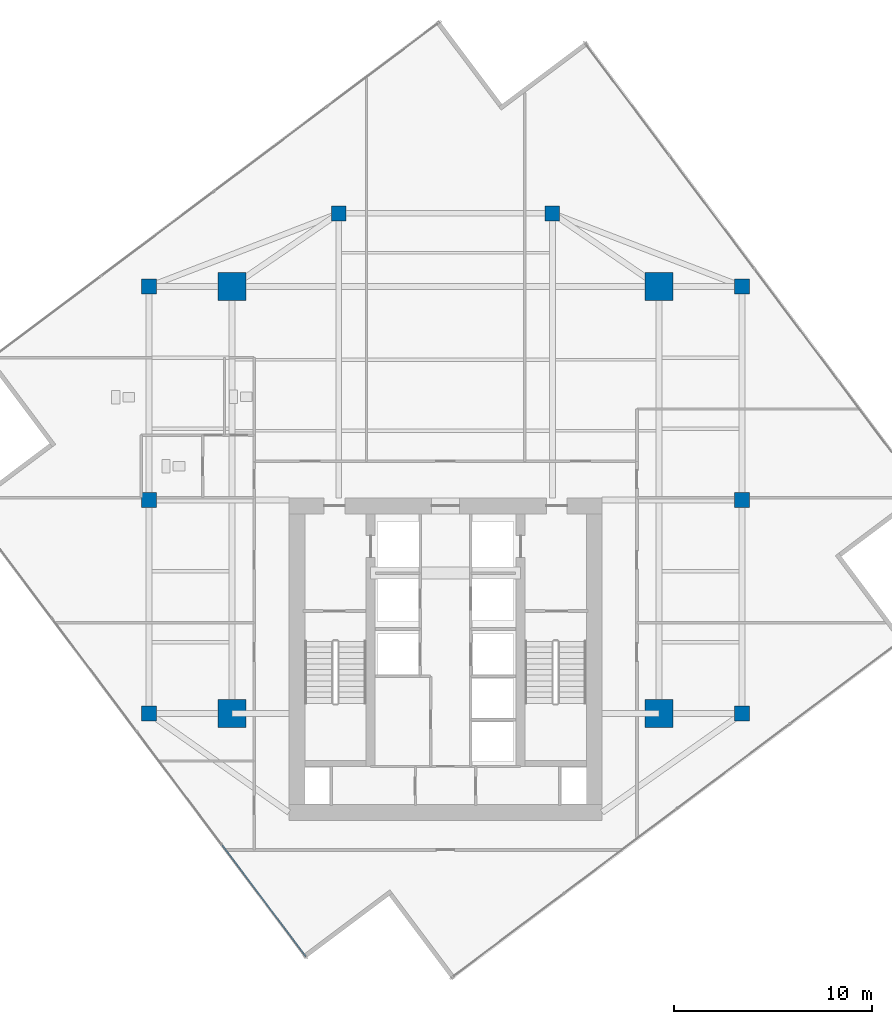
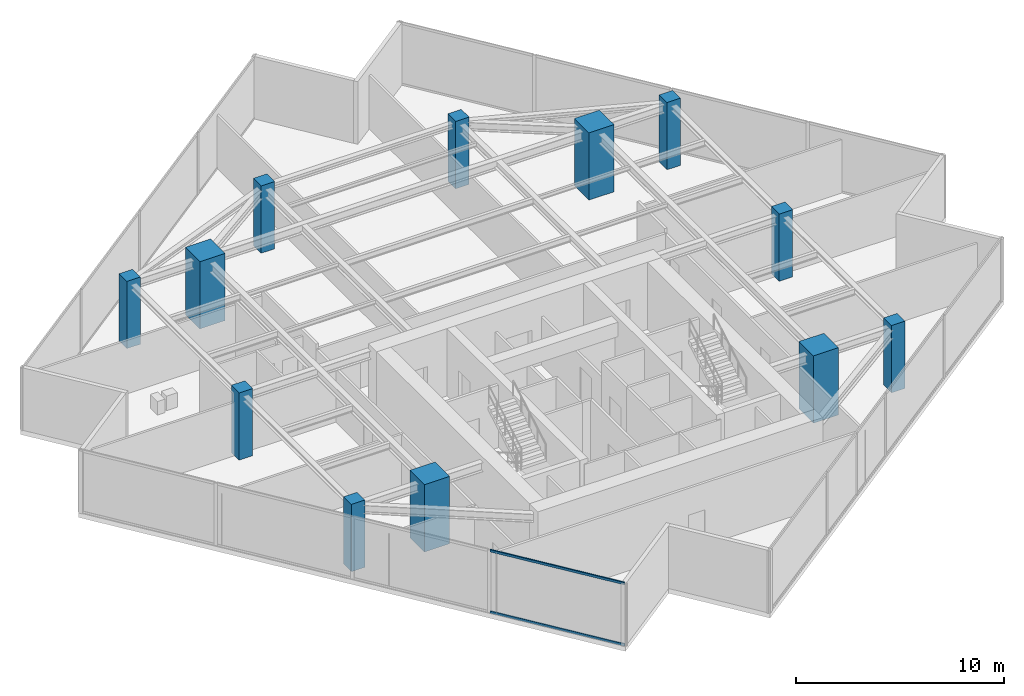
# One storey, part 1 of 21: 12 columns, 2 members, 1 element without a shape of its own.
"""IFC4 building model written with IfcOpenShell, lengths in metres."""

from ifc_helpers import new_model, si_unit, direction, frame, origin, origin_2d, place, context, subcontext, project, spatial, rectangle, hollow_rectangle, extrude, source, transform, mapped, material, material_profile, profile_set, type_object, type_shapes, element, aggregate, save


model = new_model("IFC4")

# Units and contexts
model_context = context("Model", 3, precision=1e-05, world=origin(), true_north=direction((0.0, 1.0)))
body_context = subcontext(model_context, "Body", "Model", "MODEL_VIEW")
ifc_project = project(units=[si_unit("LENGTHUNIT", "METRE"), si_unit("AREAUNIT", "SQUARE_METRE"), si_unit("VOLUMEUNIT", "CUBIC_METRE"), si_unit("PLANEANGLEUNIT", "RADIAN"), si_unit("MASSUNIT", "GRAM", prefix="KILO")], contexts=[model_context])

# Site, building, storey
site_placement = place(None, origin())
site = spatial("IfcSite", under=ifc_project, at=site_placement, CompositionType="ELEMENT")
building_placement = place(site_placement, origin())
building = spatial("IfcBuilding", under=site, at=building_placement, Name="Krantzveldt Concourse Tower", CompositionType="ELEMENT")
storey_placement = place(building_placement, frame((0.0, 0.0, 267.39990234375)))
storey = spatial("IfcBuildingStorey", under=building, at=storey_placement, Name="L65", CompositionType="ELEMENT", Elevation=267.39990234375)

# Columns
ifc_material_1 = material(Name="Concrete C50/60", Category="concrete")
ifc_material_profile_1 = material_profile(ifc_material_1, rectangle(XDim=1.39990234375, YDim=1.39990234375, at=origin_2d()), Name="Concrete C50/60", Category="concrete")
ifc_profile_set_1 = profile_set([ifc_material_profile_1], Name="Concrete C50/60 - RC 1400x1400")
column_type_1 = type_object("IfcColumnType", Name="COL-MC-1400", PredefinedType="USERDEFINED", material=ifc_profile_set_1)
shared_shape_1 = source(origin(), body_context, "Body", "SweptSolid", [
    extrude(rectangle(XDim=1.39990234375, YDim=1.39990234375, at=origin_2d()), origin(), (0.0, 0.0, 1.0), 3.9501953125),
])
type_shapes(column_type_1, [shared_shape_1])
for number, where, z_axis, x_axis, name in (
    (1, (25.199951171875, 15.89990234375, 0.0), (0.0, 0.0, 1.0), (1.0, 0.0, 0.0), "MC-SW-L65"),
    (2, (46.800048828125, 15.89990234375, 0.0), (0.0, 0.0, 1.0), (1.0, 0.0, 0.0), "MC-SE-L65"),
    (3, (46.800048828125, 37.5, 0.0), (0.0, 0.0, 1.0), (1.0, 0.0, 0.0), "MC-NE-L65"),
    (4, (25.199951171875, 37.5, 0.0), (0.0, 0.0, 1.0), (1.0, 0.0, 0.0), "MC-NW-L65"),
):
    element("IfcColumn", number, at=place(storey_placement, frame(where, z_axis=z_axis, x_axis=x_axis)), inside=storey, type_object=column_type_1, Name=name, ObjectType="MEGA COLUMN", PredefinedType="USERDEFINED", context=body_context, shape_type="MappedRepresentation", body=[
        mapped(shared_shape_1, transform((0.0, 0.0, 0.0), x_axis=(1.0, 0.0, 0.0), y_axis=(0.0, 1.0, 0.0), z_axis=(0.0, 0.0, 1.0), scale=1.0)),
    ])
ifc_material_profile_2 = material_profile(ifc_material_1, rectangle(XDim=0.75, YDim=0.75, at=origin_2d()), Name="Concrete C50/60", Category="concrete")
ifc_profile_set_2 = profile_set([ifc_material_profile_2], Name="Concrete C50/60 - RC 750x750")
column_type_2 = type_object("IfcColumnType", Name="COL-C-Z5", PredefinedType="COLUMN", material=ifc_profile_set_2)
shared_shape_2 = source(origin(), body_context, "Body", "SweptSolid", [
    extrude(rectangle(XDim=0.75, YDim=0.75, at=origin_2d()), origin(), (0.0, 0.0, 1.0), 3.9501953125),
])
type_shapes(column_type_2, [shared_shape_2])
for number, where, z_axis, x_axis, name in (
    (5, (21.0, 15.89990234375, 0.0), (0.0, 0.0, 1.0), (1.0, 0.0, 0.0), "PC-R01-L65"),
    (6, (21.0, 26.699951171875, 0.0), (0.0, 0.0, 1.0), (1.0, 0.0, 0.0), "PC-R02-L65"),
    (7, (21.0, 37.5, 0.0), (0.0, 0.0, 1.0), (1.0, 0.0, 0.0), "PC-R03-L65"),
    (8, (30.60009765625, 41.199951171875, 0.0), (0.0, 0.0, 1.0), (1.0, 0.0, 0.0), "PC-R04-L65"),
    (9, (41.39990234375, 41.199951171875, 0.0), (0.0, 0.0, 1.0), (1.0, 0.0, 0.0), "PC-R05-L65"),
    (10, (51.0, 37.5, 0.0), (0.0, 0.0, 1.0), (1.0, 0.0, 0.0), "PC-R06-L65"),
    (11, (51.0, 26.699951171875, 0.0), (0.0, 0.0, 1.0), (1.0, 0.0, 0.0), "PC-R07-L65"),
    (12, (51.0, 15.89990234375, 0.0), (0.0, 0.0, 1.0), (1.0, 0.0, 0.0), "PC-R08-L65"),
):
    element("IfcColumn", number, at=place(storey_placement, frame(where, z_axis=z_axis, x_axis=x_axis)), inside=storey, type_object=column_type_2, Name=name, PredefinedType="COLUMN", context=body_context, shape_type="MappedRepresentation", body=[
        mapped(shared_shape_2, transform((0.0, 0.0, 0.0), x_axis=(1.0, 0.0, 0.0), y_axis=(0.0, 1.0, 0.0), z_axis=(0.0, 0.0, 1.0), scale=1.0)),
    ])

# Curtain wall, members
ifc_material_2 = material(Name="Anodised aluminium 6063-T6", Category="aluminium")
curtain_wall_type = type_object("IfcCurtainWallType", Name="CW4", PredefinedType="USERDEFINED", material=ifc_material_2)
curtain_wall_placement = place(storey_placement, origin())
curtain_wall = element("IfcCurtainWall", 13, at=curtain_wall_placement, inside=storey, type_object=curtain_wall_type, Name="CW-L65-F04", ObjectType="UNITISED CURTAIN WALL", PredefinedType="USERDEFINED")
ifc_material_profile_3 = material_profile(ifc_material_2, hollow_rectangle(XDim=0.070068359375, YDim=0.139892578125, WallThickness=0.0048828125, at=origin_2d()), Name="Anodised aluminium 6063-T6", Category="aluminium")
ifc_profile_set_3 = profile_set([ifc_material_profile_3], Name="Anodised aluminium 6063-T6 - ALU-TRAN 140x70x5")
member_type = type_object("IfcMemberType", Name="CW-TRN-150", PredefinedType="USERDEFINED", material=ifc_profile_set_3)
shared_shape_3 = source(origin(), body_context, "Body", "SweptSolid", [
    extrude(hollow_rectangle(XDim=0.070068359375, YDim=0.139892578125, WallThickness=0.0048828125, at=origin_2d()), origin(), (0.0, 0.0, 1.0), 7.045166015625),
])
type_shapes(member_type, [shared_shape_3])
member_1_placement = place(storey_placement, frame((24.70458984375, 9.2451171875, 0.03515625), z_axis=(0.600066533369, -0.79995009565, 0.0), x_axis=(0.79995009565, 0.600066533369, 0.0)))
member_1 = element("IfcMember", 14, at=member_1_placement, type_object=member_type, Name="CW-Z56 transom 4.1", ObjectType="TRANSOM", PredefinedType="USERDEFINED", context=body_context, shape_type="MappedRepresentation", body=[
    mapped(shared_shape_3, transform((0.0, 0.0, 0.0), x_axis=(1.0, 0.0, 0.0), y_axis=(0.0, 1.0, 0.0), z_axis=(0.0, 0.0, 1.0), scale=1.0)),
])
member_2_placement = place(storey_placement, frame((24.70458984375, 9.2451171875, 3.635009765625), z_axis=(0.600066533369, -0.79995009565, 0.0), x_axis=(0.79995009565, 0.600066533369, 0.0)))
member_2 = element("IfcMember", 15, at=member_2_placement, type_object=member_type, Name="CW-Z56 transom 4.2", ObjectType="TRANSOM", PredefinedType="USERDEFINED", context=body_context, shape_type="MappedRepresentation", body=[
    mapped(shared_shape_3, transform((0.0, 0.0, 0.0), x_axis=(1.0, 0.0, 0.0), y_axis=(0.0, 1.0, 0.0), z_axis=(0.0, 0.0, 1.0), scale=1.0)),
])
aggregate(curtain_wall, [member_1, member_2])

save(model, "model.ifc")
